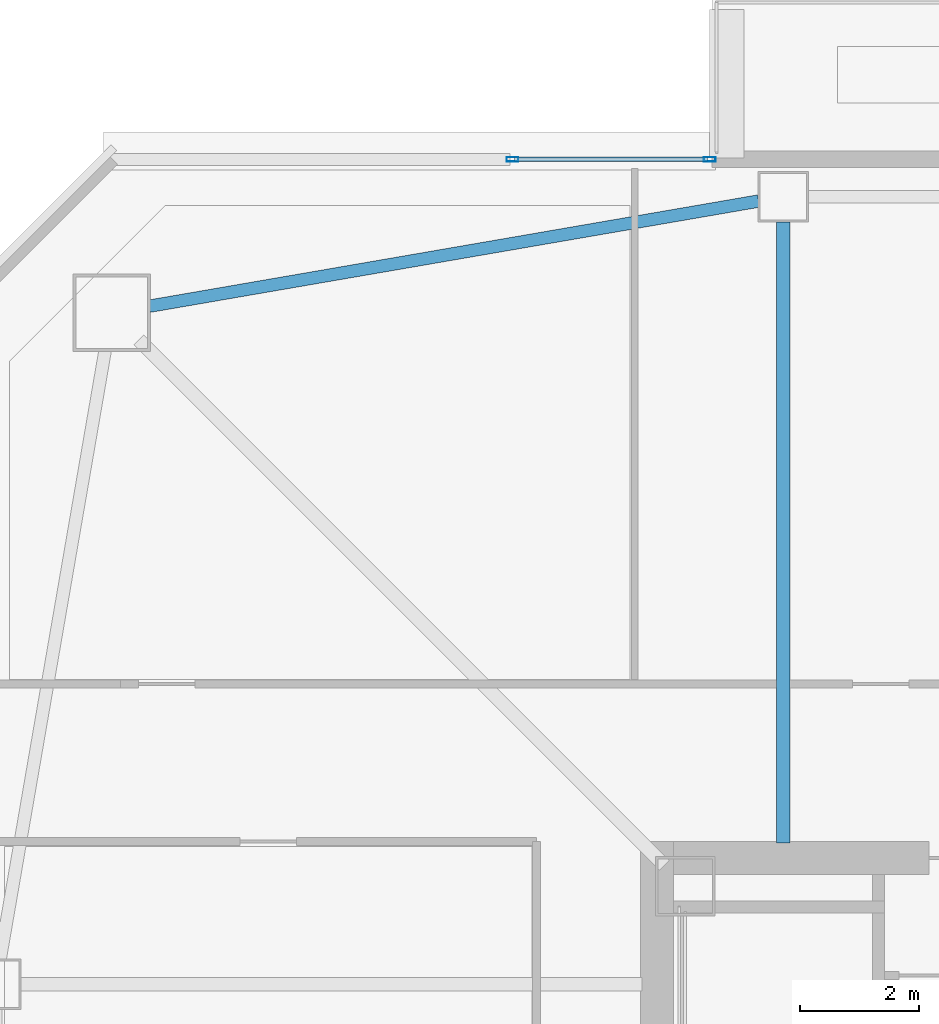
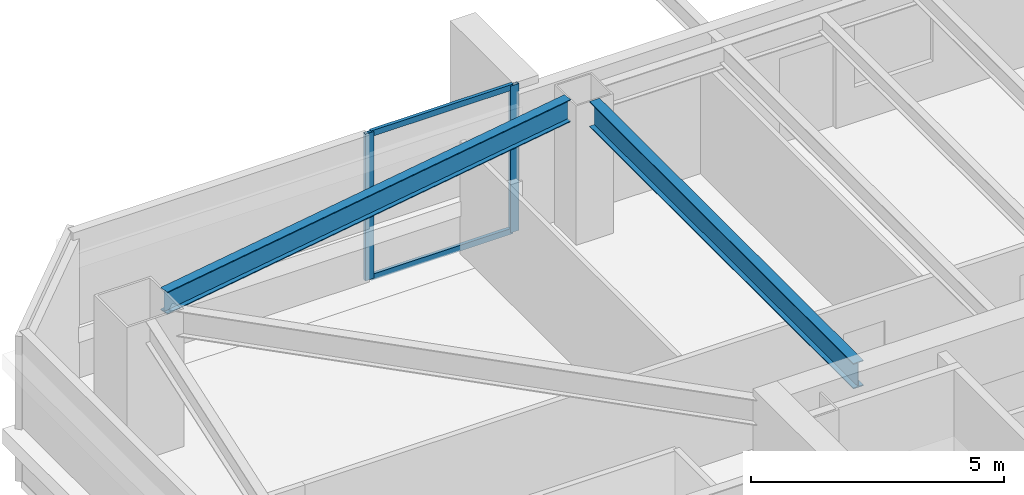
# One storey, part 13 of 41: 4 members, 2 beams, 1 element without a shape of its own.
"""IFC4 building model written with IfcOpenShell, lengths in metres."""

from ifc_helpers import new_model, si_unit, direction, frame, origin, origin_2d, place, context, subcontext, project, spatial, hollow_rectangle, i_section, extrude, material, material_profile, profile_set, type_object, element, aggregate, save


model = new_model("IFC4")

# Units and contexts
model_context = context("Model", 3, precision=1e-05, world=origin(), true_north=direction((0.0, 1.0)))
body_context = subcontext(model_context, "Body", "Model", "MODEL_VIEW")
ifc_project = project(units=[si_unit("LENGTHUNIT", "METRE"), si_unit("AREAUNIT", "SQUARE_METRE"), si_unit("VOLUMEUNIT", "CUBIC_METRE"), si_unit("PLANEANGLEUNIT", "RADIAN"), si_unit("MASSUNIT", "GRAM", prefix="KILO")], contexts=[model_context])

# Site, building, storey
site_placement = place(None, origin())
site = spatial("IfcSite", under=ifc_project, at=site_placement, CompositionType="ELEMENT")
building_placement = place(site_placement, origin())
building = spatial("IfcBuilding", under=site, at=building_placement, Name="Tashvorn Skyway Center", CompositionType="ELEMENT")
storey_placement = place(building_placement, frame((0.0, 0.0, 146.35009765625)))
storey = spatial("IfcBuildingStorey", under=building, at=storey_placement, Name="L39", CompositionType="ELEMENT", Elevation=146.35009765625)

# Beams
ifc_material_1 = material(Name="Steel ASTM A992 Grade 50", Category="steel")
ifc_material_profile_1 = material_profile(ifc_material_1, i_section(OverallWidth=0.22998046875, OverallDepth=0.616943359375, WebThickness=0.01318359375, FlangeThickness=0.022216796875, at=origin_2d()), Name="W24X94")
ifc_profile_set_1 = profile_set([ifc_material_profile_1], Name="Steel ASTM A992 Grade 50")
beam_type_1 = type_object("IfcBeamType", Name="BM-BEAM-W24X94", PredefinedType="BEAM", material=ifc_profile_set_1)
beam_1_placement = place(storey_placement, frame((36.60009765625, 50.22998046875, 3.0615234375), z_axis=(0.0, -1.0, 0.0), x_axis=(1.0, 0.0, 0.0)))
element("IfcBeam", 1, at=beam_1_placement, inside=storey, type_object=beam_type_1, Name="Tower 1 L39 Primary Floor Girder FC-N2", PredefinedType="BEAM", context=body_context, shape_type="SweptSolid", body=[
    extrude(i_section(OverallWidth=0.22998046875, OverallDepth=0.616943359375, WebThickness=0.01318359375, FlangeThickness=0.022216796875, at=origin_2d()), origin(), (0.0, 0.0, 1.0), 10.449951171875),
])
ifc_material_profile_2 = material_profile(ifc_material_1, i_section(OverallWidth=0.2109375, OverallDepth=0.5390625, WebThickness=0.01171875, FlangeThickness=0.018798828125, at=origin_2d()), Name="W21X73")
ifc_profile_set_2 = profile_set([ifc_material_profile_2], Name="Steel ASTM A992 Grade 50")
beam_type_2 = type_object("IfcBeamType", Name="BM-SPANDREL-W21X73", PredefinedType="SPANDREL", material=ifc_profile_set_2)
beam_2_placement = place(storey_placement, frame((36.18603515625, 50.57861328125, 3.100341796875), z_axis=(-0.985432458462, -0.170067250846, 0.0), x_axis=(0.170067250846, -0.985432458462, 0.0)))
element("IfcBeam", 2, at=beam_2_placement, inside=storey, type_object=beam_type_2, Name="Tower 1 L39 Spandrel Beam 09", PredefinedType="SPANDREL", context=body_context, shape_type="SweptSolid", body=[
    extrude(i_section(OverallWidth=0.2109375, OverallDepth=0.5390625, WebThickness=0.01171875, FlangeThickness=0.018798828125, at=origin_2d()), origin(), (0.0, 0.0, 1.0), 10.402099609375),
])

# Curtain wall, members
ifc_material_2 = material(Name="Thermally broken bronze-anodized aluminium 6063-T6", Category="aluminium")
curtain_wall_type = type_object("IfcCurtainWallType", Name="CW-CW-Z3", PredefinedType="NOTDEFINED", material=ifc_material_2)
curtain_wall_placement = place(storey_placement, origin())
curtain_wall = element("IfcCurtainWall", 3, at=curtain_wall_placement, inside=storey, type_object=curtain_wall_type, Name="Tower 1 L39 North Curtain Wall L Glazing Group 1", PredefinedType="NOTDEFINED")
ifc_material_profile_3 = material_profile(ifc_material_2, hollow_rectangle(XDim=0.074951171875, YDim=0.199951171875, WallThickness=0.00439453125, at=origin_2d()), Name="ALU-MULL-75x200")
ifc_profile_set_3 = profile_set([ifc_material_profile_3], Name="Thermally broken bronze-anodized aluminium 6063-T6")
member_type_1 = type_object("IfcMemberType", Name="CWM-CW-Z3", PredefinedType="MULLION", material=ifc_profile_set_3)
member_1_placement = place(storey_placement, frame((32.044189453125, 51.280029296875, 0.0), z_axis=(0.0, 0.0, 1.0), x_axis=(0.0, 1.0, 0.0)))
member_1 = element("IfcMember", 4, at=member_1_placement, type_object=member_type_1, Name="CW-Z3 mullion 1", PredefinedType="MULLION", context=body_context, shape_type="SweptSolid", body=[
    extrude(hollow_rectangle(XDim=0.074951171875, YDim=0.199951171875, WallThickness=0.00439453125, at=origin_2d()), origin(), (0.0, 0.0, 1.0), 3.5498046875),
])
member_2_placement = place(storey_placement, frame((35.362548828125, 51.280029296875, 0.0), z_axis=(0.0, 0.0, 1.0), x_axis=(0.0, 1.0, 0.0)))
member_2 = element("IfcMember", 5, at=member_2_placement, type_object=member_type_1, Name="CW-Z3 mullion 2", PredefinedType="MULLION", context=body_context, shape_type="SweptSolid", body=[
    extrude(hollow_rectangle(XDim=0.074951171875, YDim=0.199951171875, WallThickness=0.00439453125, at=origin_2d()), origin(), (0.0, 0.0, 1.0), 3.5498046875),
])
ifc_material_profile_4 = material_profile(ifc_material_2, hollow_rectangle(XDim=0.074951171875, YDim=0.139892578125, WallThickness=0.004150390625, at=origin_2d()), Name="ALU-TRAN-75x140")
ifc_profile_set_4 = profile_set([ifc_material_profile_4], Name="Thermally broken bronze-anodized aluminium 6063-T6")
member_type_2 = type_object("IfcMemberType", Name="CWT-CW-Z3", PredefinedType="USERDEFINED", material=ifc_profile_set_4)
member_3_placement = place(storey_placement, frame((32.081787109375, 51.280029296875, 0.037353515625), z_axis=(1.0, 0.0, 0.0), x_axis=(0.0, 1.0, 0.0)))
member_3 = element("IfcMember", 6, at=member_3_placement, type_object=member_type_2, Name="CW-Z3 transom 1.1", ObjectType="TRANSOM", PredefinedType="USERDEFINED", context=body_context, shape_type="SweptSolid", body=[
    extrude(hollow_rectangle(XDim=0.074951171875, YDim=0.139892578125, WallThickness=0.004150390625, at=origin_2d()), origin(), (0.0, 0.0, 1.0), 3.2431640625),
])
member_4_placement = place(storey_placement, frame((32.081787109375, 51.280029296875, 3.512451171875), z_axis=(1.0, 0.0, 0.0), x_axis=(0.0, 1.0, 0.0)))
member_4 = element("IfcMember", 7, at=member_4_placement, type_object=member_type_2, Name="CW-Z3 transom 1.2", ObjectType="TRANSOM", PredefinedType="USERDEFINED", context=body_context, shape_type="SweptSolid", body=[
    extrude(hollow_rectangle(XDim=0.074951171875, YDim=0.139892578125, WallThickness=0.004150390625, at=origin_2d()), origin(), (0.0, 0.0, 1.0), 3.2431640625),
])
aggregate(curtain_wall, [member_1, member_2, member_3, member_4])

save(model, "model.ifc")
